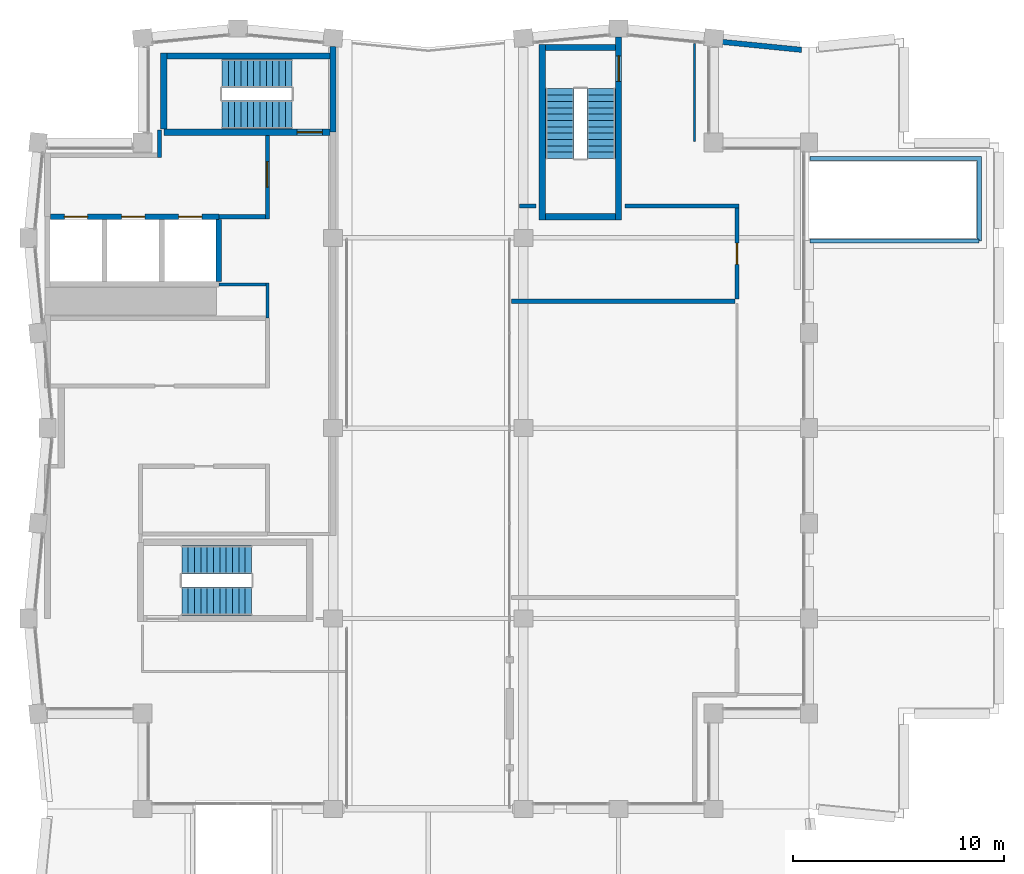
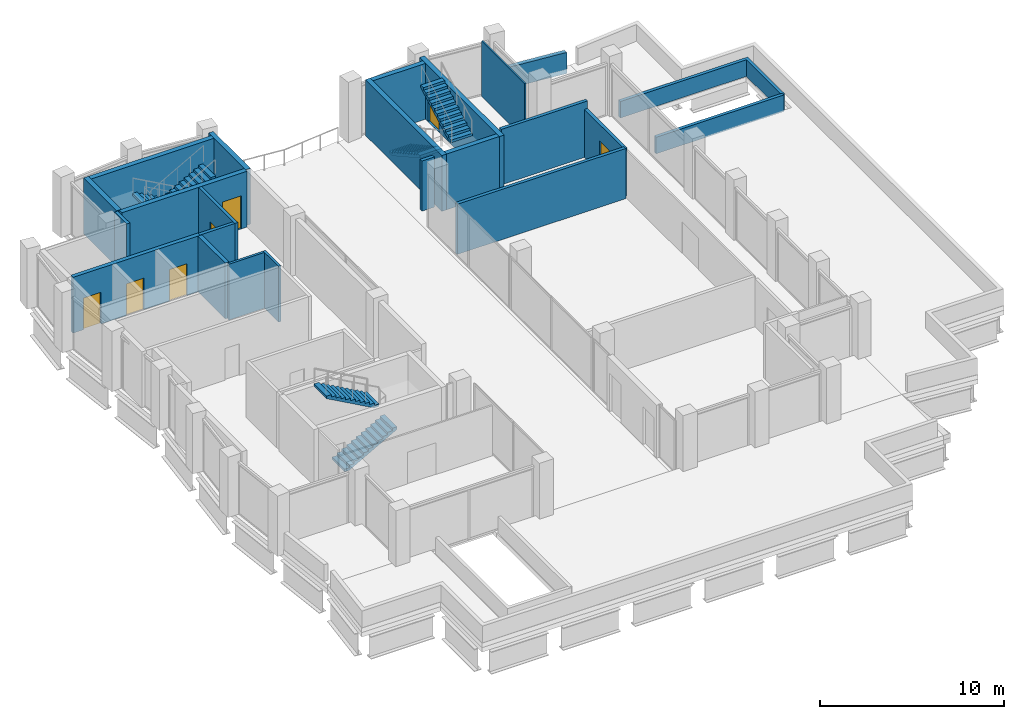
# One storey, part 12 of 14: 23 walls, 7 doors, 6 stair flights, 7 openings, 3 elements without a shape of their own.
"""IFC4 building model written with IfcOpenShell, lengths in metres."""

from ifc_helpers import new_model, si_unit, direction, frame, frame_2d, origin, place, context, subcontext, project, spatial, polyline, rectangle, outline, extrude, material, layer, layer_set, type_object, element, fill, aggregate, save


model = new_model("IFC4")

# Units and contexts
model_context = context("Model", 3, precision=1e-05, world=origin(), true_north=direction((0.0, 1.0)))
body_context = subcontext(model_context, "Body", "Model", "MODEL_VIEW")
ifc_project = project(units=[si_unit("LENGTHUNIT", "METRE"), si_unit("AREAUNIT", "SQUARE_METRE"), si_unit("VOLUMEUNIT", "CUBIC_METRE"), si_unit("PLANEANGLEUNIT", "RADIAN"), si_unit("MASSUNIT", "GRAM", prefix="KILO")], contexts=[model_context])

# Site, building, storey
site_placement = place(None, origin())
site = spatial("IfcSite", under=ifc_project, at=site_placement, CompositionType="ELEMENT")
building_placement = place(site_placement, origin())
building = spatial("IfcBuilding", under=site, at=building_placement, Name="Brondeck Convention Tower", CompositionType="ELEMENT")
storey_placement = place(building_placement, frame((0.0, 0.0, 282.800048828125)))
storey = spatial("IfcBuildingStorey", under=building, at=storey_placement, Name="L70", CompositionType="ELEMENT", Elevation=282.800048828125)

# Walls
ifc_material_1 = material(Name="Fire-rated gypsum board partition")
ifc_layer_1 = layer(ifc_material_1, 0.14990234375)
ifc_layer_set_1 = layer_set([ifc_layer_1], Name="Core partition 150 EI 60")
wall_type_1 = type_object("IfcWallType", Name="Core partition 150 EI 60", PredefinedType="PARTITIONING", material=ifc_layer_set_1)
wall_1_placement = place(storey_placement, frame((8.10009765625, 51.800048828125, 0.0), z_axis=(0.0, 0.0, 1.0), x_axis=(1.0, 0.0, 0.0)))
element("IfcWall", 1, at=wall_1_placement, inside=storey, type_object=wall_type_1, Name="L70 core wall", PredefinedType="PARTITIONING", context=body_context, shape_type="SweptSolid", body=[
    extrude(rectangle(XDim=2.224853515625, YDim=0.14990234375, at=frame_2d((1.1123046875, 0.0))), origin(), (0.0, 0.0, 1.0), 3.699951171875),
])
wall_2_placement = place(storey_placement, frame((10.39990234375, 50.199951171875, 0.0), z_axis=(0.0, 0.0, 1.0), x_axis=(0.0, 1.0, 0.0)))
element("IfcWall", 2, at=wall_2_placement, inside=storey, type_object=wall_type_1, Name="L70 core wall", PredefinedType="PARTITIONING", context=body_context, shape_type="SweptSolid", body=[
    extrude(rectangle(XDim=1.675048828125, YDim=0.14990234375, at=frame_2d((0.83740234375, 0.0))), origin(), (0.0, 0.0, 1.0), 3.699951171875),
])
ifc_layer_2 = layer(ifc_material_1, 0.199951171875)
ifc_layer_set_2 = layer_set([ifc_layer_2], Name="Firefighting lobby wall 200 EI 120")
wall_type_2 = type_object("IfcWallType", Name="Firefighting lobby wall 200 EI 120", PredefinedType="PARTITIONING", material=ifc_layer_set_2)
wall_3_placement = place(storey_placement, frame((8.10009765625, 55.0, 0.0), z_axis=(0.0, 0.0, 1.0), x_axis=(1.0, 0.0, 0.0)))
element("IfcWall", 3, at=wall_3_placement, inside=storey, type_object=wall_type_2, Name="L70 core wall", PredefinedType="PARTITIONING", context=body_context, shape_type="SweptSolid", body=[
    extrude(rectangle(XDim=2.199951171875, YDim=0.199951171875, at=frame_2d((1.10009765625, 0.0))), origin(), (0.0, 0.0, 1.0), 3.699951171875),
])
wall_4_placement = place(storey_placement, frame((5.300048828125, 57.800048828125, 0.0), z_axis=(0.0, 0.0, 1.0), x_axis=(0.0, 1.0, 0.0)))
element("IfcWall", 4, at=wall_4_placement, inside=storey, type_object=wall_type_2, Name="L70 core wall", PredefinedType="PARTITIONING", context=body_context, shape_type="SweptSolid", body=[
    extrude(rectangle(XDim=1.300048828125, YDim=0.199951171875, at=frame_2d((0.64990234375, 0.0))), origin(), (0.0, 0.0, 1.0), 3.699951171875),
])

# Wall, opening, door
wall_5_placement = place(storey_placement, frame((10.39990234375, 54.89990234375, 0.0), z_axis=(0.0, 0.0, 1.0), x_axis=(0.0, 1.0, 0.0)))
wall_5 = element("IfcWall", 5, at=wall_5_placement, inside=storey, type_object=wall_type_2, Name="L70 core wall", PredefinedType="PARTITIONING", context=body_context, shape_type="SweptSolid", body=[
    extrude(rectangle(XDim=3.9501953125, YDim=0.199951171875, at=frame_2d((1.97509765625, 0.0))), origin(), (0.0, 0.0, 1.0), 3.699951171875),
])
opening_1_placement = place(wall_5_placement, frame((1.5, 0.0, 0.0)))
opening_1 = element("IfcOpeningElement", 6, at=opening_1_placement, cuts=wall_5, Name="Opening C40-01", PredefinedType="OPENING", context=body_context, shape_type="SweptSolid", body=[
    extrude(rectangle(XDim=1.199951171875, YDim=2.199951171875, at=frame_2d((0.60009765625, 1.10009765625))), frame((0.0, 0.10986328125, 0.0), z_axis=(0.0, -1.0, 0.0), x_axis=(1.0, 0.0, 0.0)), (0.0, 0.0, 1.0), 0.219970703125),
])
ifc_material_2 = material(Name="Steel fire door", Category="steel")
door_type_1 = type_object("IfcDoorType", Name="Firefighting lobby door 1200x2200 EI 120", OperationType="NOTDEFINED", PredefinedType="DOOR", material=ifc_material_2)
door_1_placement = place(opening_1_placement, origin())
door_1 = element("IfcDoor", 7, at=door_1_placement, inside=storey, type_object=door_type_1, Name="L70 Firefighting lobby door FFL-1", OperationType="SINGLE_SWING_RIGHT", OverallHeight=2.199951171875, OverallWidth=1.199951171875, PredefinedType="DOOR", context=body_context, shape_type="SweptSolid", body=[
    extrude(rectangle(XDim=1.199951171875, YDim=2.199951171875, at=frame_2d((0.60009765625, 1.10009765625))), frame((0.0, 0.02490234375, 0.0), z_axis=(0.0, -1.0, 0.0), x_axis=(1.0, 0.0, 0.0)), (0.0, 0.0, 1.0), 0.050048828125),
])
fill(opening_1, door_1)

# Wall, openings, doors
ifc_material_3 = material(Name="Concrete C50/60", Category="concrete")
ifc_layer_3 = layer(ifc_material_3, 0.25)
ifc_layer_set_3 = layer_set([ifc_layer_3], Name="Lift shaft wall 250 Concrete C50/60")
wall_type_3 = type_object("IfcWallType", Name="Lift shaft wall 250 Concrete C50/60", PredefinedType="SHEAR", material=ifc_layer_set_3)
wall_6_placement = place(storey_placement, frame((0.14990234375, 55.0, 0.0), z_axis=(0.0, 0.0, 1.0), x_axis=(1.0, 0.0, 0.0)))
wall_6 = element("IfcWall", 8, at=wall_6_placement, inside=storey, type_object=wall_type_3, Name="L70 core wall", PredefinedType="SHEAR", context=body_context, shape_type="SweptSolid", body=[
    extrude(rectangle(XDim=7.9501953125, YDim=0.25, at=frame_2d((3.97509765625, 0.0))), origin(), (0.0, 0.0, 1.0), 3.699951171875),
])
opening_2_placement = place(wall_6_placement, frame((0.64990234375, 0.0, 0.0)))
opening_2 = element("IfcOpeningElement", 9, at=opening_2_placement, cuts=wall_6, Name="Opening C40-07", PredefinedType="OPENING", context=body_context, shape_type="SweptSolid", body=[
    extrude(rectangle(XDim=1.10009765625, YDim=2.10009765625, at=frame_2d((0.550048828125, 1.050048828125))), frame((0.0, 0.135009765625, 0.0), z_axis=(0.0, -1.0, 0.0), x_axis=(1.0, 0.0, 0.0)), (0.0, 0.0, 1.0), 0.27001953125),
])
opening_3_placement = place(wall_6_placement, frame((3.35009765625, 0.0, 0.0)))
opening_3 = element("IfcOpeningElement", 10, at=opening_3_placement, cuts=wall_6, Name="Opening C40-08", PredefinedType="OPENING", context=body_context, shape_type="SweptSolid", body=[
    extrude(rectangle(XDim=1.10009765625, YDim=2.10009765625, at=frame_2d((0.550048828125, 1.050048828125))), frame((0.0, 0.135009765625, 0.0), z_axis=(0.0, -1.0, 0.0), x_axis=(1.0, 0.0, 0.0)), (0.0, 0.0, 1.0), 0.27001953125),
])
opening_4_placement = place(wall_6_placement, frame((6.050048828125, 0.0, 0.0)))
opening_4 = element("IfcOpeningElement", 11, at=opening_4_placement, cuts=wall_6, Name="Opening C40-09", PredefinedType="OPENING", context=body_context, shape_type="SweptSolid", body=[
    extrude(rectangle(XDim=1.10009765625, YDim=2.10009765625, at=frame_2d((0.550048828125, 1.050048828125))), frame((0.0, 0.135009765625, 0.0), z_axis=(0.0, -1.0, 0.0), x_axis=(1.0, 0.0, 0.0)), (0.0, 0.0, 1.0), 0.27001953125),
])
ifc_material_4 = material(Name="Stainless steel lift door", Category="steel")
door_type_2 = type_object("IfcDoorType", Name="Lift landing door 1100x2100 EI 180", OperationType="DOUBLE_DOOR_SLIDING", PredefinedType="DOOR", material=ifc_material_4)
door_2_placement = place(opening_2_placement, origin())
door_2 = element("IfcDoor", 12, at=door_2_placement, inside=storey, type_object=door_type_2, Name="L70 Lift landing door FF1", OperationType="DOUBLE_DOOR_SLIDING", OverallHeight=2.10009765625, OverallWidth=1.10009765625, PredefinedType="DOOR", context=body_context, shape_type="SweptSolid", body=[
    extrude(rectangle(XDim=1.10009765625, YDim=2.10009765625, at=frame_2d((0.550048828125, 1.050048828125))), frame((0.0, 0.02490234375, 0.0), z_axis=(0.0, -1.0, 0.0), x_axis=(1.0, 0.0, 0.0)), (0.0, 0.0, 1.0), 0.050048828125),
])
fill(opening_2, door_2)
door_3_placement = place(opening_3_placement, origin())
door_3 = element("IfcDoor", 13, at=door_3_placement, inside=storey, type_object=door_type_2, Name="L70 Lift landing door FF2", OperationType="DOUBLE_DOOR_SLIDING", OverallHeight=2.10009765625, OverallWidth=1.10009765625, PredefinedType="DOOR", context=body_context, shape_type="SweptSolid", body=[
    extrude(rectangle(XDim=1.10009765625, YDim=2.10009765625, at=frame_2d((0.550048828125, 1.050048828125))), frame((0.0, 0.02490234375, 0.0), z_axis=(0.0, -1.0, 0.0), x_axis=(1.0, 0.0, 0.0)), (0.0, 0.0, 1.0), 0.050048828125),
])
fill(opening_3, door_3)
door_4_placement = place(opening_4_placement, origin())
door_4 = element("IfcDoor", 14, at=door_4_placement, inside=storey, type_object=door_type_2, Name="L70 Lift landing door FF3", OperationType="DOUBLE_DOOR_SLIDING", OverallHeight=2.10009765625, OverallWidth=1.10009765625, PredefinedType="DOOR", context=body_context, shape_type="SweptSolid", body=[
    extrude(rectangle(XDim=1.10009765625, YDim=2.10009765625, at=frame_2d((0.550048828125, 1.050048828125))), frame((0.0, 0.02490234375, 0.0), z_axis=(0.0, -1.0, 0.0), x_axis=(1.0, 0.0, 0.0)), (0.0, 0.0, 1.0), 0.050048828125),
])
fill(opening_4, door_4)

# Walls
wall_7_placement = place(storey_placement, frame((8.10009765625, 51.925048828125, 0.0), z_axis=(0.0, 0.0, 1.0), x_axis=(0.0, 1.0, 0.0)))
element("IfcWall", 15, at=wall_7_placement, inside=storey, type_object=wall_type_3, Name="L70 core wall", PredefinedType="SHEAR", context=body_context, shape_type="SweptSolid", body=[
    extrude(rectangle(XDim=2.949951171875, YDim=0.25, at=frame_2d((1.47509765625, 0.0))), origin(), (0.0, 0.0, 1.0), 3.699951171875),
])
ifc_material_5 = material(Name="Concrete block wall C16/20", Category="concrete")
ifc_layer_4 = layer(ifc_material_5, 0.199951171875)
ifc_layer_set_4 = layer_set([ifc_layer_4], Name="Plant room wall 200")
wall_type_4 = type_object("IfcWallType", Name="Plant room wall 200", PredefinedType="PARTITIONING", material=ifc_layer_set_4)
wall_8_placement = place(storey_placement, frame((21.93994140625, 51.0, 0.0), z_axis=(0.0, 0.0, 1.0), x_axis=(1.0, 0.0, 0.0)))
element("IfcWall", 16, at=wall_8_placement, inside=storey, type_object=wall_type_4, Name="FLR-L70-W010", PredefinedType="PARTITIONING", context=body_context, shape_type="SweptSolid", body=[
    extrude(rectangle(XDim=10.56005859375, YDim=0.199951171875, at=frame_2d((5.280029296875, 0.0))), origin(), (0.0, 0.0, 1.0), 3.329833984375),
])

# Wall, opening, door
wall_9_placement = place(storey_placement, frame((32.60009765625, 51.10009765625, 0.0), z_axis=(0.0, 0.0, 1.0), x_axis=(0.0, 1.0, 0.0)))
wall_9 = element("IfcWall", 17, at=wall_9_placement, inside=storey, type_object=wall_type_4, Name="FLR-L70-W011", PredefinedType="PARTITIONING", context=body_context, shape_type="SweptSolid", body=[
    extrude(rectangle(XDim=4.2998046875, YDim=0.199951171875, at=frame_2d((2.14990234375, 0.0))), origin(), (0.0, 0.0, 1.0), 3.179931640625),
])
opening_5_placement = place(wall_9_placement, frame((1.64990234375, 0.0, 0.0)))
opening_5 = element("IfcOpeningElement", 18, at=opening_5_placement, cuts=wall_9, Name="Opening CR-A-004", PredefinedType="OPENING", context=body_context, shape_type="SweptSolid", body=[
    extrude(rectangle(XDim=1.0, YDim=2.10009765625, at=frame_2d((0.5, 1.050048828125))), frame((0.0, 0.10986328125, 0.0), z_axis=(0.0, -1.0, 0.0), x_axis=(1.0, 0.0, 0.0)), (0.0, 0.0, 1.0), 0.219970703125),
])
ifc_material_6 = material(Name="Steel fire door leaf", Category="steel")
door_type_3 = type_object("IfcDoorType", Name="Plant room door 1000", OperationType="NOTDEFINED", PredefinedType="DOOR", material=ifc_material_6)
door_5_placement = place(opening_5_placement, origin())
door_5 = element("IfcDoor", 19, at=door_5_placement, inside=storey, type_object=door_type_3, Name="Door CR-A-004", OperationType="SINGLE_SWING_RIGHT", OverallHeight=2.10009765625, OverallWidth=1.0, PredefinedType="DOOR", context=body_context, shape_type="SweptSolid", body=[
    extrude(rectangle(XDim=1.0, YDim=2.10009765625, at=frame_2d((0.5, 1.050048828125))), frame((0.0, 0.02490234375, 0.0), z_axis=(0.0, -1.0, 0.0), x_axis=(1.0, 0.0, 0.0)), (0.0, 0.0, 1.0), 0.050048828125),
])
fill(opening_5, door_5)

# Walls
wall_10_placement = place(storey_placement, frame((22.320068359375, 55.5, 0.0), z_axis=(0.0, 0.0, 1.0), x_axis=(1.0, 0.0, 0.0)))
element("IfcWall", 20, at=wall_10_placement, inside=storey, type_object=wall_type_4, Name="FLR-L70-W012", PredefinedType="PARTITIONING", context=body_context, shape_type="SweptSolid", body=[
    extrude(rectangle(XDim=0.780029296875, YDim=0.199951171875, at=frame_2d((0.39013671875, 0.0))), origin(), (0.0, 0.0, 1.0), 3.329833984375),
])
wall_11_placement = place(storey_placement, frame((32.699951171875, 55.5, 0.0), z_axis=(0.0, 0.0, 1.0), x_axis=(-1.0, 0.0, 0.0)))
element("IfcWall", 21, at=wall_11_placement, inside=storey, type_object=wall_type_4, Name="FLR-L70-W013", PredefinedType="PARTITIONING", context=body_context, shape_type="SweptSolid", body=[
    extrude(rectangle(XDim=5.39990234375, YDim=0.199951171875, at=frame_2d((2.699951171875, 0.0))), origin(), (0.0, 0.0, 1.0), 3.679931640625),
])
ifc_material_7 = material(Name="Precast concrete C50/60", Category="concrete")
ifc_layer_5 = layer(ifc_material_7, 0.25)
ifc_layer_set_5 = layer_set([ifc_layer_5], Name="Roof parapet, precast concrete C50/60")
wall_type_5 = type_object("IfcWallType", Name="Roof parapet, precast concrete C50/60", PredefinedType="PARAPET", material=ifc_layer_set_5)
wall_12_placement = place(storey_placement, origin())
element("IfcWall", 22, at=wall_12_placement, inside=storey, type_object=wall_type_5, Name="ENV-S4-A-WPA1", PredefinedType="PARAPET", context=body_context, shape_type="SweptSolid", body=[
    extrude(outline(polyline([(36.050048828125, 53.75), (44.050048828125, 53.75), (44.050048828125, 53.949951171875), (36.050048828125, 53.949951171875), (36.050048828125, 53.75)])), origin(), (0.0, 0.0, 1.0), 1.099853515625),
])
wall_13_placement = place(storey_placement, origin())
element("IfcWall", 23, at=wall_13_placement, inside=storey, type_object=wall_type_5, Name="ENV-S4-A-WPA2", PredefinedType="PARAPET", context=body_context, shape_type="SweptSolid", body=[
    extrude(outline(polyline([(44.14990234375, 57.85009765625), (36.050048828125, 57.85009765625), (36.050048828125, 57.64990234375), (43.949951171875, 57.64990234375), (43.949951171875, 53.85009765625), (44.14990234375, 53.85009765625), (44.14990234375, 57.85009765625)])), origin(), (0.0, 0.0, 1.0), 1.099853515625),
])
wall_14_placement = place(storey_placement, origin())
element("IfcWall", 24, at=wall_14_placement, inside=storey, type_object=wall_type_5, Name="ENV-S4-C2-PA-01", PredefinedType="PARAPET", context=body_context, shape_type="SweptSolid", body=[
    extrude(outline(polyline([(35.64990234375, 63.014892578125), (31.85009765625, 63.39501953125), (31.85009765625, 63.143798828125), (35.64990234375, 62.763671875), (35.64990234375, 63.014892578125)])), origin(), (0.0, 0.0, 1.0), 1.39990234375),
])
ifc_material_8 = material(Name="Gypsum board partition on steel studs", Category="steel")
ifc_layer_6 = layer(ifc_material_8, 0.10009765625)
ifc_layer_set_6 = layer_set([ifc_layer_6], Name="Room partition 100")
wall_type_6 = type_object("IfcWallType", Name="Room partition 100", PredefinedType="PARTITIONING", material=ifc_layer_set_6)
wall_15_placement = place(storey_placement, frame((30.60009765625, 63.198486328125, 0.0), z_axis=(0.0, 0.0, 1.0), x_axis=(0.0, -1.0, 0.0)))
element("IfcWall", 25, at=wall_15_placement, inside=storey, type_object=wall_type_6, Name="FLR-L70-W014", PredefinedType="PARTITIONING", context=body_context, shape_type="SweptSolid", body=[
    extrude(rectangle(XDim=4.6484375, YDim=0.10009765625, at=frame_2d((2.32421875, 0.0))), origin(), (0.0, 0.0, 1.0), 3.679931640625),
])
ifc_layer_7 = layer(ifc_material_3, 0.300048828125)
ifc_layer_set_7 = layer_set([ifc_layer_7], Name="Stair enclosure wall 300 Concrete C50/60")
wall_type_7 = type_object("IfcWallType", Name="Stair enclosure wall 300 Concrete C50/60", PredefinedType="SHEAR", material=ifc_layer_set_7)
wall_16_placement = place(storey_placement, frame((23.550048828125, 55.0, 0.0), z_axis=(0.0, 0.0, 1.0), x_axis=(1.0, 0.0, 0.0)))
element("IfcWall", 26, at=wall_16_placement, inside=storey, type_object=wall_type_7, Name="L70 core wall", PredefinedType="SHEAR", context=body_context, shape_type="SweptSolid", body=[
    extrude(rectangle(XDim=3.300048828125, YDim=0.300048828125, at=frame_2d((1.64990234375, 0.0))), origin(), (0.0, 0.0, 1.0), 3.699951171875),
])

# Wall, opening, door
wall_17_placement = place(storey_placement, frame((5.5, 59.0, 0.0), z_axis=(0.0, 0.0, 1.0), x_axis=(1.0, 0.0, 0.0)))
wall_17 = element("IfcWall", 27, at=wall_17_placement, inside=storey, type_object=wall_type_7, Name="L70 core wall", PredefinedType="SHEAR", context=body_context, shape_type="SweptSolid", body=[
    extrude(rectangle(XDim=7.85009765625, YDim=0.300048828125, at=frame_2d((3.925048828125, 0.0))), origin(), (0.0, 0.0, 1.0), 3.699951171875),
])
opening_6_placement = place(wall_17_placement, frame((6.300048828125, 0.0, 0.0)))
opening_6 = element("IfcOpeningElement", 28, at=opening_6_placement, cuts=wall_17, Name="Opening C40-06", PredefinedType="OPENING", context=body_context, shape_type="SweptSolid", body=[
    extrude(rectangle(XDim=1.199951171875, YDim=2.199951171875, at=frame_2d((0.60009765625, 1.10009765625))), frame((0.0, 0.159912109375, 0.0), z_axis=(0.0, -1.0, 0.0), x_axis=(1.0, 0.0, 0.0)), (0.0, 0.0, 1.0), 0.320068359375),
])
door_type_4 = type_object("IfcDoorType", Name="Stair door 1200x2200 EI 120", OperationType="NOTDEFINED", PredefinedType="DOOR", material=ifc_material_2)
door_6_placement = place(opening_6_placement, origin())
door_6 = element("IfcDoor", 29, at=door_6_placement, inside=storey, type_object=door_type_4, Name="L70 Stair door ST-3", OperationType="SINGLE_SWING_RIGHT", OverallHeight=2.199951171875, OverallWidth=1.199951171875, PredefinedType="DOOR", context=body_context, shape_type="SweptSolid", body=[
    extrude(rectangle(XDim=1.199951171875, YDim=2.199951171875, at=frame_2d((0.60009765625, 1.10009765625))), frame((0.0, 0.02490234375, 0.0), z_axis=(0.0, -1.0, 0.0), x_axis=(1.0, 0.0, 0.0)), (0.0, 0.0, 1.0), 0.050048828125),
])
fill(opening_6, door_6)

# Walls
wall_18_placement = place(storey_placement, frame((5.64990234375, 62.60009765625, 0.0), z_axis=(0.0, 0.0, 1.0), x_axis=(1.0, 0.0, 0.0)))
element("IfcWall", 30, at=wall_18_placement, inside=storey, type_object=wall_type_7, Name="L70 core wall", PredefinedType="SHEAR", context=body_context, shape_type="SweptSolid", body=[
    extrude(rectangle(XDim=7.7001953125, YDim=0.300048828125, at=frame_2d((3.85009765625, 0.0))), origin(), (0.0, 0.0, 1.0), 3.699951171875),
])
wall_19_placement = place(storey_placement, frame((23.550048828125, 63.0, 0.0), z_axis=(0.0, 0.0, 1.0), x_axis=(1.0, 0.0, 0.0)))
element("IfcWall", 31, at=wall_19_placement, inside=storey, type_object=wall_type_7, Name="L70 core wall", PredefinedType="SHEAR", context=body_context, shape_type="SweptSolid", body=[
    extrude(rectangle(XDim=3.300048828125, YDim=0.300048828125, at=frame_2d((1.64990234375, 0.0))), origin(), (0.0, 0.0, 1.0), 3.699951171875),
])
wall_20_placement = place(storey_placement, frame((5.5, 59.14990234375, 0.0), z_axis=(0.0, 0.0, 1.0), x_axis=(0.0, 1.0, 0.0)))
element("IfcWall", 32, at=wall_20_placement, inside=storey, type_object=wall_type_7, Name="L70 core wall", PredefinedType="SHEAR", context=body_context, shape_type="SweptSolid", body=[
    extrude(rectangle(XDim=3.60009765625, YDim=0.300048828125, at=frame_2d((1.800048828125, 0.0))), origin(), (0.0, 0.0, 1.0), 3.699951171875),
])
wall_21_placement = place(storey_placement, frame((13.5, 59.0, 0.0), z_axis=(0.0, 0.0, 1.0), x_axis=(0.0, 1.0, 0.0)))
element("IfcWall", 33, at=wall_21_placement, inside=storey, type_object=wall_type_7, Name="L70 core wall", PredefinedType="SHEAR", context=body_context, shape_type="SweptSolid", body=[
    extrude(rectangle(XDim=4.048095703125, YDim=0.300048828125, at=frame_2d((2.02392578125, 0.0))), origin(), (0.0, 0.0, 1.0), 3.699951171875),
])
wall_22_placement = place(storey_placement, frame((23.39990234375, 54.85009765625, 0.0), z_axis=(0.0, 0.0, 1.0), x_axis=(0.0, 1.0, 0.0)))
element("IfcWall", 34, at=wall_22_placement, inside=storey, type_object=wall_type_7, Name="L70 core wall", PredefinedType="SHEAR", context=body_context, shape_type="SweptSolid", body=[
    extrude(rectangle(XDim=8.2998046875, YDim=0.300048828125, at=frame_2d((4.14990234375, 0.0))), origin(), (0.0, 0.0, 1.0), 3.699951171875),
])

# Wall, opening, door
wall_23_placement = place(storey_placement, frame((27.0, 54.85009765625, 0.0), z_axis=(0.0, 0.0, 1.0), x_axis=(0.0, 1.0, 0.0)))
wall_23 = element("IfcWall", 35, at=wall_23_placement, inside=storey, type_object=wall_type_7, Name="L70 core wall", PredefinedType="SHEAR", context=body_context, shape_type="SweptSolid", body=[
    extrude(rectangle(XDim=8.64990234375, YDim=0.300048828125, at=frame_2d((4.324951171875, 0.0))), origin(), (0.0, 0.0, 1.0), 3.699951171875),
])
opening_7_placement = place(wall_23_placement, frame((6.550048828125, 0.0, 0.0)))
opening_7 = element("IfcOpeningElement", 36, at=opening_7_placement, cuts=wall_23, Name="Opening C40-05", PredefinedType="OPENING", context=body_context, shape_type="SweptSolid", body=[
    extrude(rectangle(XDim=1.199951171875, YDim=2.199951171875, at=frame_2d((0.60009765625, 1.10009765625))), frame((0.0, 0.159912109375, 0.0), z_axis=(0.0, -1.0, 0.0), x_axis=(1.0, 0.0, 0.0)), (0.0, 0.0, 1.0), 0.320068359375),
])
door_type_5 = type_object("IfcDoorType", Name="Stair door 1200x2200 EI 90", OperationType="NOTDEFINED", PredefinedType="DOOR", material=ifc_material_2)
door_7_placement = place(opening_7_placement, origin())
door_7 = element("IfcDoor", 37, at=door_7_placement, inside=storey, type_object=door_type_5, Name="L70 Stair door ST-2", OperationType="SINGLE_SWING_LEFT", OverallHeight=2.199951171875, OverallWidth=1.199951171875, PredefinedType="DOOR", context=body_context, shape_type="SweptSolid", body=[
    extrude(rectangle(XDim=1.199951171875, YDim=2.199951171875, at=frame_2d((0.60009765625, 1.10009765625))), frame((0.0, 0.02490234375, 0.0), z_axis=(0.0, -1.0, 0.0), x_axis=(1.0, 0.0, 0.0)), (0.0, 0.0, 1.0), 0.050048828125),
])
fill(opening_7, door_7)

# Stair, stair flights
stair_type = type_object("IfcStairType", Name="Core stair 24 risers 166.67 mm riser 300 mm going 1350 wide", PredefinedType="HALF_TURN_STAIR", material=ifc_material_7)
stair_1_placement = place(storey_placement, origin())
stair_1 = element("IfcStair", 38, at=stair_1_placement, inside=storey, type_object=stair_type, Name="ST-1 L70 stair", PredefinedType="HALF_TURN_STAIR")
stair_flight_type = type_object("IfcStairFlightType", Name="Core stair flight 24 risers 166.67 mm riser 300 mm going 1350 wide", PredefinedType="STRAIGHT", material=ifc_material_7)
stair_flight_1_placement = place(storey_placement, frame((6.35009765625, 36.824951171875, 0.0), z_axis=(0.0, 0.0, 1.0), x_axis=(1.0, 0.0, 0.0)))
stair_flight_1 = element("IfcStairFlight", 39, at=stair_flight_1_placement, type_object=stair_flight_type, Name="ST-1 flight 1", NumberOfRisers=12, NumberOfTreads=11, PredefinedType="STRAIGHT", RiserHeight=0.166666667, TreadLength=0.3, context=body_context, shape_type="SweptSolid", body=[
    extrude(outline(polyline([(0.0, 0.0), (0.0, 0.166748046875), (0.300048828125, 0.166748046875), (0.300048828125, 0.333251953125), (0.60009765625, 0.333251953125), (0.60009765625, 0.5), (0.89990234375, 0.5), (0.89990234375, 0.666748046875), (1.199951171875, 0.666748046875), (1.199951171875, 0.833251953125), (1.5, 0.833251953125), (1.5, 1.0), (1.800048828125, 1.0), (1.800048828125, 1.166748046875), (2.10009765625, 1.166748046875), (2.10009765625, 1.333251953125), (2.39990234375, 1.333251953125), (2.39990234375, 1.5), (2.699951171875, 1.5), (2.699951171875, 1.666748046875), (3.0, 1.666748046875), (3.0, 1.833251953125), (3.300048828125, 1.833251953125), (3.300048828125, 2.0), (3.300048828125, 1.661865234375), (0.30859375, 0.0), (0.0, 0.0)])), frame((0.0, 0.675048828125, 0.0), z_axis=(0.0, -1.0, 0.0), x_axis=(1.0, 0.0, 0.0)), (0.0, 0.0, 1.0), 1.35009765625),
])
stair_flight_2_placement = place(storey_placement, frame((9.64990234375, 38.77490234375, 2.0), z_axis=(0.0, 0.0, 1.0), x_axis=(-1.0, 0.0, 0.0)))
stair_flight_2 = element("IfcStairFlight", 40, at=stair_flight_2_placement, type_object=stair_flight_type, Name="ST-1 flight 2", NumberOfRisers=12, NumberOfTreads=11, PredefinedType="STRAIGHT", RiserHeight=0.166666667, TreadLength=0.3, context=body_context, shape_type="SweptSolid", body=[
    extrude(outline(polyline([(0.0, 0.0), (0.0, 0.166748046875), (0.300048828125, 0.166748046875), (0.300048828125, 0.333251953125), (0.60009765625, 0.333251953125), (0.60009765625, 0.5), (0.89990234375, 0.5), (0.89990234375, 0.666748046875), (1.199951171875, 0.666748046875), (1.199951171875, 0.833251953125), (1.5, 0.833251953125), (1.5, 1.0), (1.800048828125, 1.0), (1.800048828125, 1.166748046875), (2.10009765625, 1.166748046875), (2.10009765625, 1.333251953125), (2.39990234375, 1.333251953125), (2.39990234375, 1.5), (2.699951171875, 1.5), (2.699951171875, 1.666748046875), (3.0, 1.666748046875), (3.0, 1.833251953125), (3.300048828125, 1.833251953125), (3.300048828125, 2.0), (3.300048828125, 1.661865234375), (0.30859375, 0.0), (0.0, 0.0)])), frame((0.0, 0.675048828125, 0.0), z_axis=(0.0, -1.0, 0.0), x_axis=(1.0, 0.0, 0.0)), (0.0, 0.0, 1.0), 1.35009765625),
])
aggregate(stair_1, [stair_flight_1, stair_flight_2])

stair_2_placement = place(storey_placement, origin())
stair_2 = element("IfcStair", 41, at=stair_2_placement, inside=storey, type_object=stair_type, Name="ST-2 L70 stair", PredefinedType="HALF_TURN_STAIR")
stair_flight_3_placement = place(storey_placement, frame((24.22509765625, 61.050048828125, 0.0), z_axis=(0.0, 0.0, 1.0), x_axis=(0.0, -1.0, 0.0)))
stair_flight_3 = element("IfcStairFlight", 42, at=stair_flight_3_placement, type_object=stair_flight_type, Name="ST-2 flight 1", NumberOfRisers=12, NumberOfTreads=11, PredefinedType="STRAIGHT", RiserHeight=0.166666667, TreadLength=0.3, context=body_context, shape_type="SweptSolid", body=[
    extrude(outline(polyline([(0.0, 0.0), (0.0, 0.166748046875), (0.300048828125, 0.166748046875), (0.300048828125, 0.333251953125), (0.60009765625, 0.333251953125), (0.60009765625, 0.5), (0.89990234375, 0.5), (0.89990234375, 0.666748046875), (1.199951171875, 0.666748046875), (1.199951171875, 0.833251953125), (1.5, 0.833251953125), (1.5, 1.0), (1.800048828125, 1.0), (1.800048828125, 1.166748046875), (2.10009765625, 1.166748046875), (2.10009765625, 1.333251953125), (2.39990234375, 1.333251953125), (2.39990234375, 1.5), (2.699951171875, 1.5), (2.699951171875, 1.666748046875), (3.0, 1.666748046875), (3.0, 1.833251953125), (3.300048828125, 1.833251953125), (3.300048828125, 2.0), (3.300048828125, 1.661865234375), (0.30859375, 0.0), (0.0, 0.0)])), frame((0.0, 0.675048828125, 0.0), z_axis=(0.0, -1.0, 0.0), x_axis=(1.0, 0.0, 0.0)), (0.0, 0.0, 1.0), 1.35009765625),
])
stair_flight_4_placement = place(storey_placement, frame((26.175048828125, 57.75, 2.0), z_axis=(0.0, 0.0, 1.0), x_axis=(0.0, 1.0, 0.0)))
stair_flight_4 = element("IfcStairFlight", 43, at=stair_flight_4_placement, type_object=stair_flight_type, Name="ST-2 flight 2", NumberOfRisers=12, NumberOfTreads=11, PredefinedType="STRAIGHT", RiserHeight=0.166666667, TreadLength=0.3, context=body_context, shape_type="SweptSolid", body=[
    extrude(outline(polyline([(0.0, 0.0), (0.0, 0.166748046875), (0.300048828125, 0.166748046875), (0.300048828125, 0.333251953125), (0.60009765625, 0.333251953125), (0.60009765625, 0.5), (0.89990234375, 0.5), (0.89990234375, 0.666748046875), (1.199951171875, 0.666748046875), (1.199951171875, 0.833251953125), (1.5, 0.833251953125), (1.5, 1.0), (1.800048828125, 1.0), (1.800048828125, 1.166748046875), (2.10009765625, 1.166748046875), (2.10009765625, 1.333251953125), (2.39990234375, 1.333251953125), (2.39990234375, 1.5), (2.699951171875, 1.5), (2.699951171875, 1.666748046875), (3.0, 1.666748046875), (3.0, 1.833251953125), (3.300048828125, 1.833251953125), (3.300048828125, 2.0), (3.300048828125, 1.661865234375), (0.30859375, 0.0), (0.0, 0.0)])), frame((0.0, 0.675048828125, 0.0), z_axis=(0.0, -1.0, 0.0), x_axis=(1.0, 0.0, 0.0)), (0.0, 0.0, 1.0), 1.35009765625),
])
aggregate(stair_2, [stair_flight_3, stair_flight_4])

stair_3_placement = place(storey_placement, origin())
stair_3 = element("IfcStair", 44, at=stair_3_placement, inside=storey, type_object=stair_type, Name="ST-3 L70 stair", PredefinedType="HALF_TURN_STAIR")
stair_flight_5_placement = place(storey_placement, frame((11.550048828125, 61.77490234375, 0.0), z_axis=(0.0, 0.0, 1.0), x_axis=(-1.0, 0.0, 0.0)))
stair_flight_5 = element("IfcStairFlight", 45, at=stair_flight_5_placement, type_object=stair_flight_type, Name="ST-3 flight 1", NumberOfRisers=12, NumberOfTreads=11, PredefinedType="STRAIGHT", RiserHeight=0.166666667, TreadLength=0.3, context=body_context, shape_type="SweptSolid", body=[
    extrude(outline(polyline([(0.0, 0.0), (0.0, 0.166748046875), (0.300048828125, 0.166748046875), (0.300048828125, 0.333251953125), (0.60009765625, 0.333251953125), (0.60009765625, 0.5), (0.89990234375, 0.5), (0.89990234375, 0.666748046875), (1.199951171875, 0.666748046875), (1.199951171875, 0.833251953125), (1.5, 0.833251953125), (1.5, 1.0), (1.800048828125, 1.0), (1.800048828125, 1.166748046875), (2.10009765625, 1.166748046875), (2.10009765625, 1.333251953125), (2.39990234375, 1.333251953125), (2.39990234375, 1.5), (2.699951171875, 1.5), (2.699951171875, 1.666748046875), (3.0, 1.666748046875), (3.0, 1.833251953125), (3.300048828125, 1.833251953125), (3.300048828125, 2.0), (3.300048828125, 1.661865234375), (0.30859375, 0.0), (0.0, 0.0)])), frame((0.0, 0.675048828125, 0.0), z_axis=(0.0, -1.0, 0.0), x_axis=(1.0, 0.0, 0.0)), (0.0, 0.0, 1.0), 1.35009765625),
])
stair_flight_6_placement = place(storey_placement, frame((8.25, 59.824951171875, 2.0), z_axis=(0.0, 0.0, 1.0), x_axis=(1.0, 0.0, 0.0)))
stair_flight_6 = element("IfcStairFlight", 46, at=stair_flight_6_placement, type_object=stair_flight_type, Name="ST-3 flight 2", NumberOfRisers=12, NumberOfTreads=11, PredefinedType="STRAIGHT", RiserHeight=0.166666667, TreadLength=0.3, context=body_context, shape_type="SweptSolid", body=[
    extrude(outline(polyline([(0.0, 0.0), (0.0, 0.166748046875), (0.300048828125, 0.166748046875), (0.300048828125, 0.333251953125), (0.60009765625, 0.333251953125), (0.60009765625, 0.5), (0.89990234375, 0.5), (0.89990234375, 0.666748046875), (1.199951171875, 0.666748046875), (1.199951171875, 0.833251953125), (1.5, 0.833251953125), (1.5, 1.0), (1.800048828125, 1.0), (1.800048828125, 1.166748046875), (2.10009765625, 1.166748046875), (2.10009765625, 1.333251953125), (2.39990234375, 1.333251953125), (2.39990234375, 1.5), (2.699951171875, 1.5), (2.699951171875, 1.666748046875), (3.0, 1.666748046875), (3.0, 1.833251953125), (3.300048828125, 1.833251953125), (3.300048828125, 2.0), (3.300048828125, 1.661865234375), (0.30859375, 0.0), (0.0, 0.0)])), frame((0.0, 0.675048828125, 0.0), z_axis=(0.0, -1.0, 0.0), x_axis=(1.0, 0.0, 0.0)), (0.0, 0.0, 1.0), 1.35009765625),
])
aggregate(stair_3, [stair_flight_5, stair_flight_6])

save(model, "model.ifc")
